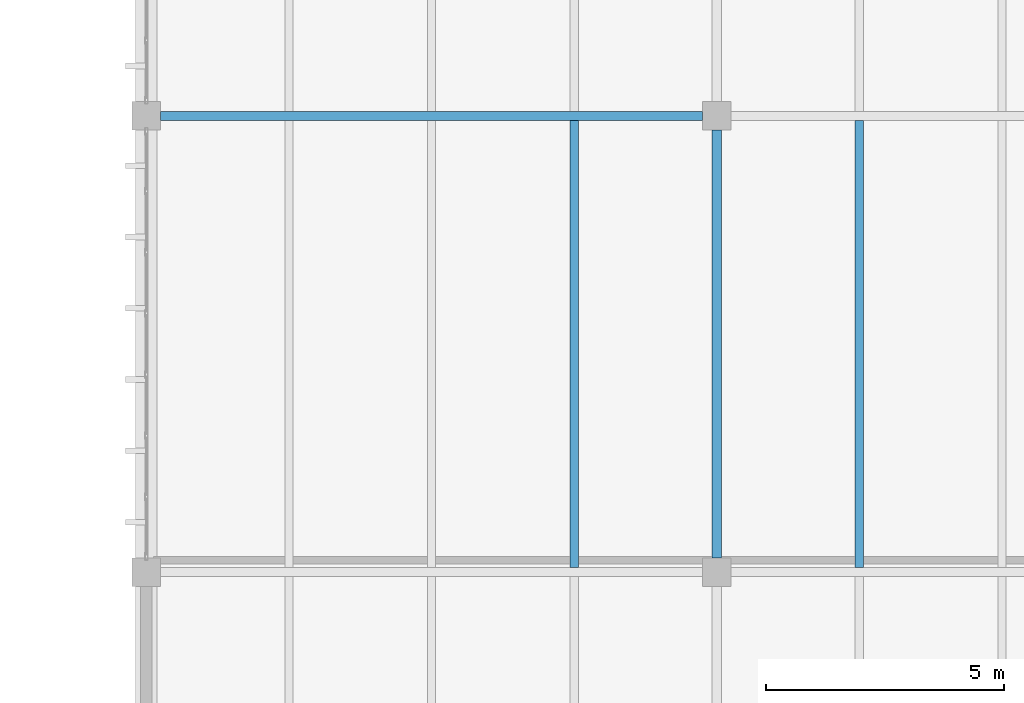
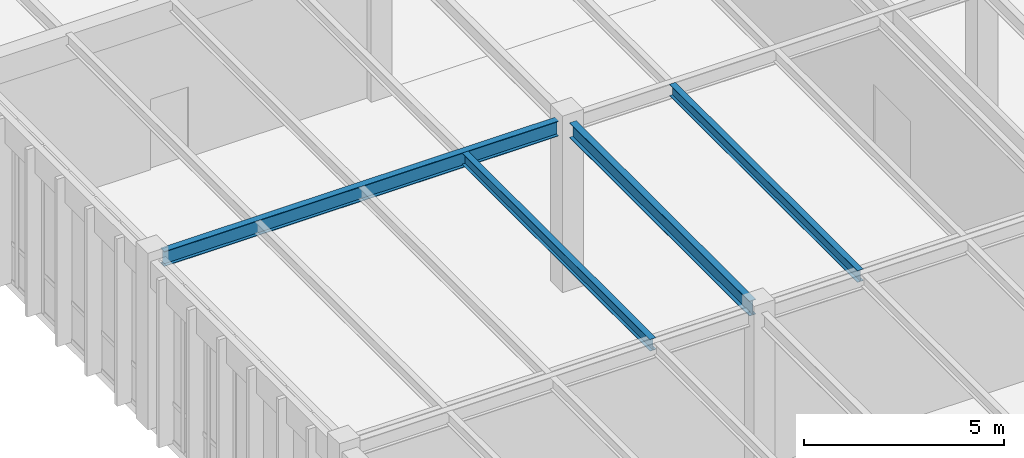
# One storey, part 116 of 188: 4 beams.
"""IFC4 building model written with IfcOpenShell, lengths in metres."""

from ifc_helpers import new_model, si_unit, direction, frame, origin, origin_2d, place, context, subcontext, project, spatial, i_section, extrude, material, material_profile, profile_set, type_object, element, save


model = new_model("IFC4")

# Units and contexts
model_context = context("Model", 3, precision=1e-05, world=origin(), true_north=direction((0.0, 1.0)))
body_context = subcontext(model_context, "Body", "Model", "MODEL_VIEW")
ifc_project = project(units=[si_unit("LENGTHUNIT", "METRE"), si_unit("AREAUNIT", "SQUARE_METRE"), si_unit("VOLUMEUNIT", "CUBIC_METRE"), si_unit("PLANEANGLEUNIT", "RADIAN"), si_unit("MASSUNIT", "GRAM", prefix="KILO")], contexts=[model_context])

# Site, building, storey
site_placement = place(None, origin())
site = spatial("IfcSite", under=ifc_project, at=site_placement, CompositionType="ELEMENT")
building_placement = place(site_placement, origin())
building = spatial("IfcBuilding", under=site, at=building_placement, Name="Pandanus Reach Market Hall", CompositionType="ELEMENT")
storey_placement = place(building_placement, origin())
storey = spatial("IfcBuildingStorey", under=building, at=storey_placement, Name="L00", CompositionType="ELEMENT", Elevation=0.0)

# Beams
ifc_material = material(Name="Steel Grade 350 (350 MPa)", Category="steel")
ifc_material_profile_1 = material_profile(ifc_material, i_section(OverallWidth=0.19091796875, OverallDepth=0.4599609375, WebThickness=0.010009765625, FlangeThickness=0.01611328125, at=origin_2d()), Name="460UB82.1", Category="LoadBearing")
ifc_profile_set_1 = profile_set([ifc_material_profile_1], Name="Steel Grade 350 (350 MPa)")
beam_type_1 = type_object("IfcBeamType", Name="BM-UB460H-I", PredefinedType="BEAM", material=ifc_profile_set_1)
beam_1_placement = place(storey_placement, frame((144.298095703125, 86.39990234375, 4.89453125), z_axis=(1.0, 0.0, 0.0), x_axis=(0.0, 1.0, 0.0)))
element("IfcBeam", 1, at=beam_1_placement, inside=storey, type_object=beam_type_1, Name="Framing beam BM-UB460H-I L00.182", PredefinedType="BEAM", context=body_context, shape_type="SweptSolid", body=[
    extrude(i_section(OverallWidth=0.19091796875, OverallDepth=0.4599609375, WebThickness=0.010009765625, FlangeThickness=0.01611328125, at=origin_2d()), origin(), (0.0, 0.0, 1.0), 11.40380859375),
])
beam_2_placement = place(storey_placement, frame((156.0, 77.097900390625, 4.89453125), z_axis=(0.0, 1.0, 0.0), x_axis=(-1.0, 0.0, 0.0)))
element("IfcBeam", 2, at=beam_2_placement, inside=storey, type_object=beam_type_1, Name="Framing beam BM-UB460H-I L00.206", PredefinedType="BEAM", context=body_context, shape_type="SweptSolid", body=[
    extrude(i_section(OverallWidth=0.19091796875, OverallDepth=0.4599609375, WebThickness=0.010009765625, FlangeThickness=0.01611328125, at=origin_2d()), origin(), (0.0, 0.0, 1.0), 9.004150390625),
])
ifc_material_profile_2 = material_profile(ifc_material, i_section(OverallWidth=0.172119140625, OverallDepth=0.35888671875, WebThickness=0.008056640625, FlangeThickness=0.012939453125, at=origin_2d()), Name="360UB56.7", Category="LoadBearing")
ifc_profile_set_2 = profile_set([ifc_material_profile_2], Name="Steel Grade 350 (350 MPa)")
beam_type_2 = type_object("IfcBeamType", Name="JS-UB360H-I", PredefinedType="JOIST", material=ifc_profile_set_2)
for number, where, z_axis, x_axis, name in (
    (3, (153.0, 76.8935546875, 4.945068359375), (0.0, 1.0, 0.0), (-1.0, 0.0, 0.0), "Secondary joist JS-UB360H-I L00.251"),
    (4, (159.0, 76.8935546875, 4.945068359375), (0.0, 1.0, 0.0), (-1.0, 0.0, 0.0), "Secondary joist JS-UB360H-I L00.276"),
):
    element("IfcBeam", number, at=place(storey_placement, frame(where, z_axis=z_axis, x_axis=x_axis)), inside=storey, type_object=beam_type_2, Name=name, PredefinedType="JOIST", context=body_context, shape_type="SweptSolid", body=[
        extrude(i_section(OverallWidth=0.172119140625, OverallDepth=0.35888671875, WebThickness=0.008056640625, FlangeThickness=0.012939453125, at=origin_2d()), origin(), (0.0, 0.0, 1.0), 9.412841796875),
    ])

save(model, "model.ifc")
